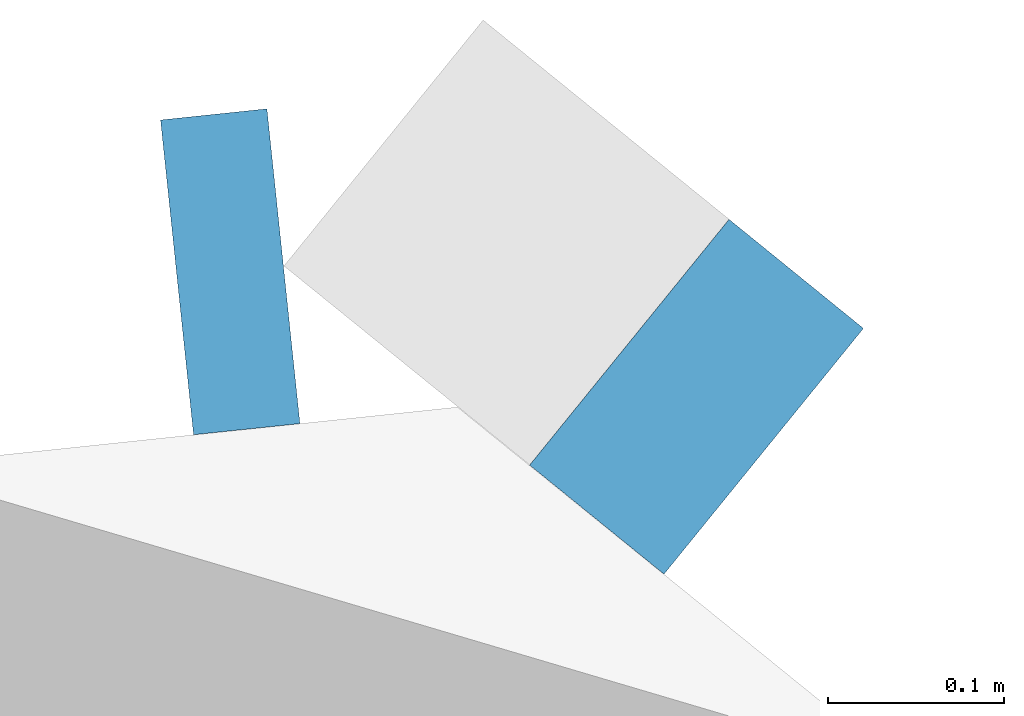
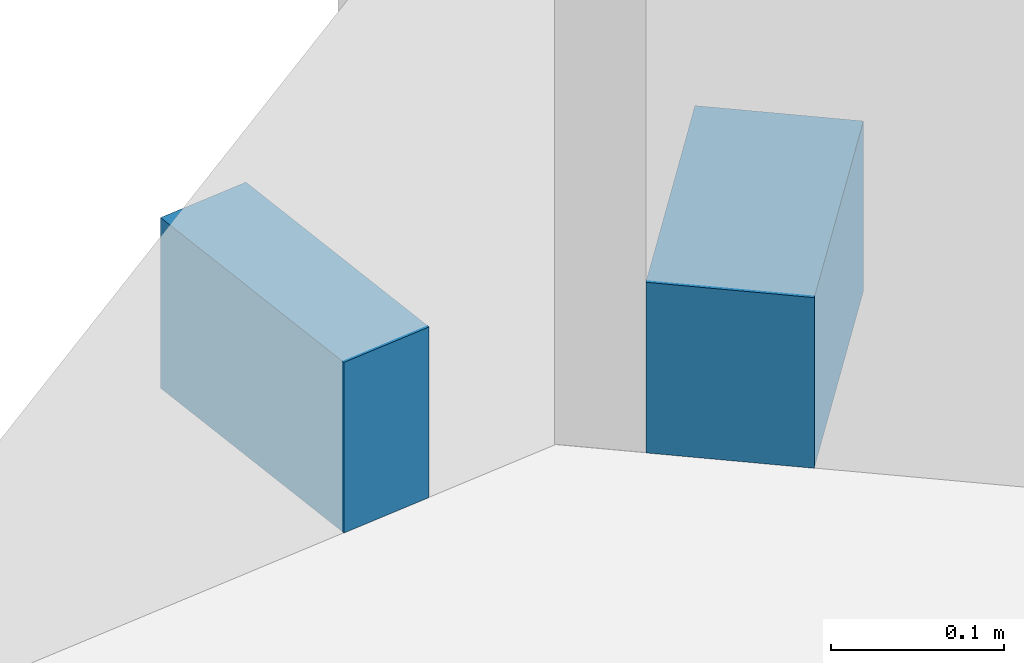
# One storey, part 17 of 26: 2 members, 2 elements without a shape of their own.
"""IFC4 building model written with IfcOpenShell, lengths in metres."""

from ifc_helpers import new_model, si_unit, direction, frame, origin, origin_2d, place, context, subcontext, project, spatial, rectangle, extrude, material, material_profile, profile_set, type_object, element, aggregate, save


model = new_model("IFC4")

# Units and contexts
model_context = context("Model", 3, precision=1e-05, world=origin(), true_north=direction((0.0, 1.0)))
body_context = subcontext(model_context, "Body", "Model", "MODEL_VIEW")
ifc_project = project(units=[si_unit("LENGTHUNIT", "METRE"), si_unit("AREAUNIT", "SQUARE_METRE"), si_unit("VOLUMEUNIT", "CUBIC_METRE"), si_unit("PLANEANGLEUNIT", "RADIAN"), si_unit("MASSUNIT", "GRAM", prefix="KILO")], contexts=[model_context])

# Site, building, storey
site_placement = place(None, origin())
site = spatial("IfcSite", under=ifc_project, at=site_placement, CompositionType="ELEMENT")
building_placement = place(site_placement, origin())
building = spatial("IfcBuilding", under=site, at=building_placement, Name="Orlundy Tower", CompositionType="ELEMENT")
storey_placement = place(building_placement, frame((0.0, 0.0, 214.0)))
storey = spatial("IfcBuildingStorey", under=building, at=storey_placement, Name="L56", CompositionType="ELEMENT", Elevation=214.0)

# Curtain wall, member
ifc_material_1 = material(Name="Aluminium bronze anodised", Category="aluminium")
curtain_wall_type = type_object("IfcCurtainWallType", Name="CW1 wall", PredefinedType="NOTDEFINED", material=ifc_material_1)
curtain_wall_1_placement = place(storey_placement, origin())
curtain_wall_1 = element("IfcCurtainWall", 1, at=curtain_wall_1_placement, inside=storey, type_object=curtain_wall_type, Name="CW1 run 04", PredefinedType="NOTDEFINED")
ifc_material_2 = material(Name="Aluminium bronze anodised", Category="aluminium")
ifc_material_profile = material_profile(ifc_material_2, rectangle(XDim=0.179931640625, YDim=0.1201171875, at=origin_2d()), Name="CW1 transom 180x120")
ifc_profile_set = profile_set([ifc_material_profile], Name="Aluminium bronze anodised")
member_type = type_object("IfcMemberType", Name="CW1 transom 180x120", PredefinedType="USERDEFINED", material=ifc_profile_set)
member_1_placement = place(storey_placement, frame((9.0625, 31.208740234375, -0.340087890625), z_axis=(0.994549313552, 0.104267266743, 0.0), x_axis=(-0.104267266743, 0.994549313552, 0.0)))
member_1 = element("IfcMember", 2, at=member_1_placement, type_object=member_type, Name="CW1 transom", ObjectType="TRANSOM", PredefinedType="USERDEFINED", context=body_context, shape_type="SweptSolid", body=[
    extrude(rectangle(XDim=0.179931640625, YDim=0.1201171875, at=origin_2d()), origin(), (0.0, 0.0, 1.0), 0.060791015625),
])
aggregate(curtain_wall_1, [member_1])

curtain_wall_2_placement = place(storey_placement, origin())
curtain_wall_2 = element("IfcCurtainWall", 3, at=curtain_wall_2_placement, inside=storey, type_object=curtain_wall_type, Name="CW1 run 05", PredefinedType="NOTDEFINED")
member_2_placement = place(storey_placement, frame((9.319580078125, 31.171875, -0.340087890625), z_axis=(0.776493277507, -0.630125535101, 0.0), x_axis=(0.630125535101, 0.776493277507, 0.0)))
member_2 = element("IfcMember", 4, at=member_2_placement, type_object=member_type, Name="CW1 transom", ObjectType="TRANSOM", PredefinedType="USERDEFINED", context=body_context, shape_type="SweptSolid", body=[
    extrude(rectangle(XDim=0.179931640625, YDim=0.1201171875, at=origin_2d()), origin(), (0.0, 0.0, 1.0), 0.098388671875),
])
aggregate(curtain_wall_2, [member_2])

save(model, "model.ifc")
